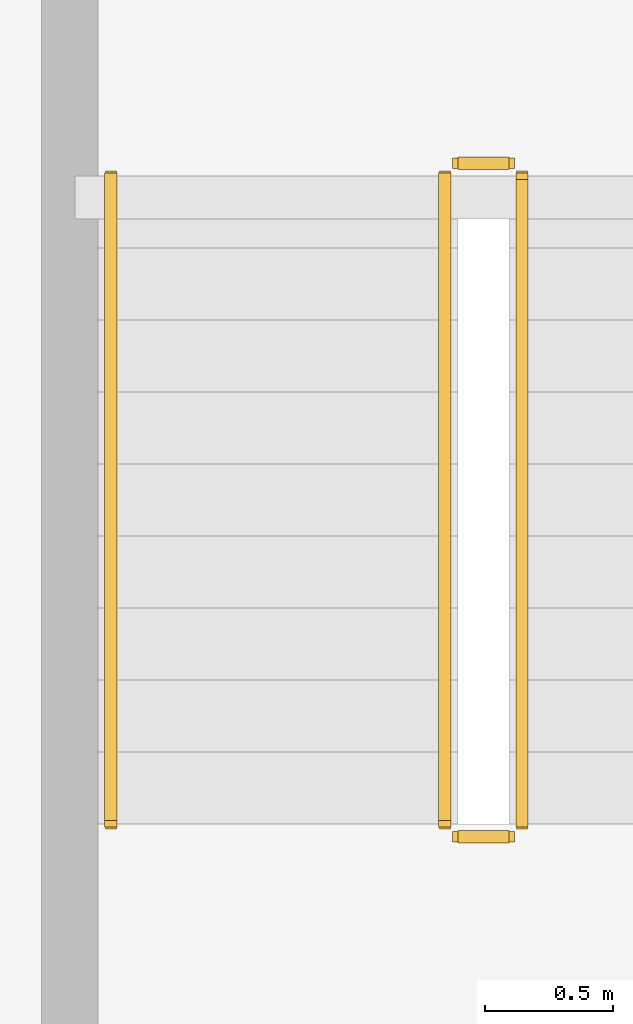
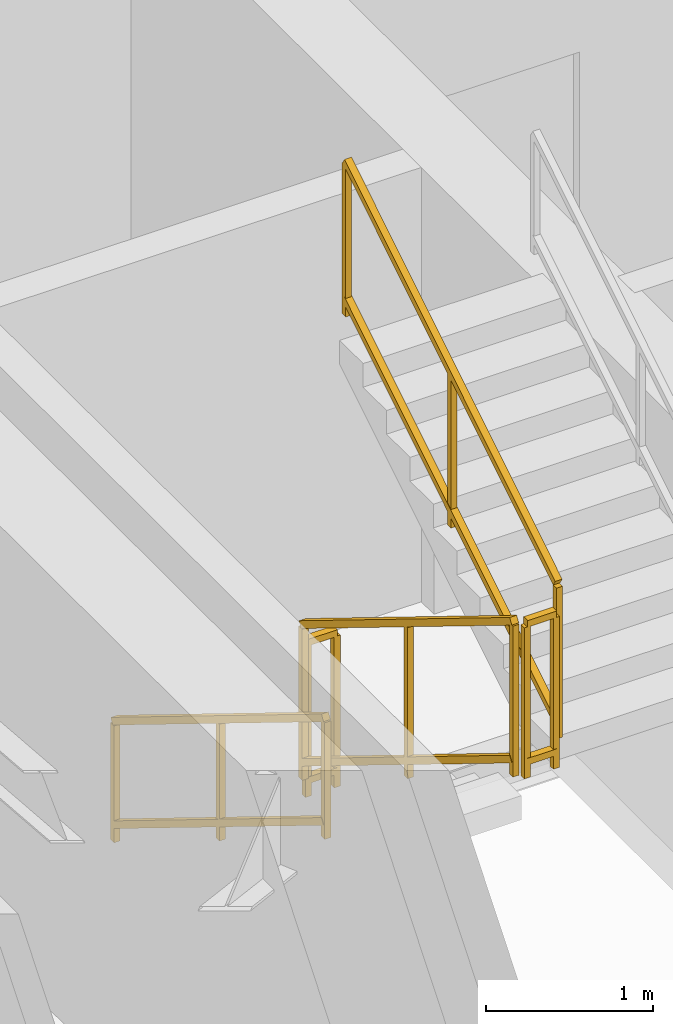
# One storey, part 28 of 30: 5 railings.
"""IFC4 building model written with IfcOpenShell, lengths in metres."""

from ifc_helpers import new_model, si_unit, direction, frame, origin, origin_2d, place, context, subcontext, project, spatial, rectangle, extrude, material, type_object, element, save


model = new_model("IFC4")

# Units and contexts
model_context = context("Model", 3, precision=1e-05, world=origin(), true_north=direction((0.0, 1.0)))
body_context = subcontext(model_context, "Body", "Model", "MODEL_VIEW")
ifc_project = project(units=[si_unit("LENGTHUNIT", "METRE"), si_unit("AREAUNIT", "SQUARE_METRE"), si_unit("VOLUMEUNIT", "CUBIC_METRE"), si_unit("PLANEANGLEUNIT", "RADIAN"), si_unit("MASSUNIT", "GRAM", prefix="KILO")], contexts=[model_context])

# Site, building, storey
site_placement = place(None, origin())
site = spatial("IfcSite", under=ifc_project, at=site_placement, CompositionType="ELEMENT")
building_placement = place(site_placement, origin())
building = spatial("IfcBuilding", under=site, at=building_placement, Name="Qarnah Convention Tower", CompositionType="ELEMENT")
storey_placement = place(building_placement, frame((0.0, 0.0, 86.699951171875)))
storey = spatial("IfcBuildingStorey", under=building, at=storey_placement, Name="L22", CompositionType="ELEMENT", Elevation=86.699951171875)

# Railings
ifc_material = material(Name="Structural steel S355JR", Category="steel")
railing_type_1 = type_object("IfcRailingType", Name="RL-STAIR-GUARD-1150", PredefinedType="GUARDRAIL", material=ifc_material)
railing_1_placement = place(storey_placement, frame((28.89990234375, 25.300048828125, 0.172607421875)))
element("IfcRailing", 1, at=railing_1_placement, inside=storey, type_object=railing_type_1, Name="L22 ST-1 stair guard 1", PredefinedType="GUARDRAIL", context=body_context, shape_type="SweptSolid", body=[
    extrude(rectangle(XDim=0.048095703125, YDim=0.048095703125, at=origin_2d()), frame((0.0, 0.0, 1.1259765625), z_axis=(0.0, -0.851400495292, 0.524516154772), x_axis=(1.0, 0.0, 0.0)), (0.0, 0.0, 1.0), 2.9599609375),
    extrude(rectangle(XDim=0.048095703125, YDim=0.048095703125, at=origin_2d()), frame((0.0, 0.0, 0.1201171875), z_axis=(0.0, -0.851400495292, 0.524516154772), x_axis=(1.0, 0.0, 0.0)), (0.0, 0.0, 1.0), 2.9599609375),
    extrude(rectangle(XDim=0.0419921875, YDim=0.0419921875, at=origin_2d()), origin(), (0.0, 0.0, 1.0), 1.101806640625),
    extrude(rectangle(XDim=0.0419921875, YDim=0.0419921875, at=origin_2d()), frame((0.0, -1.260009765625, 0.7763671875)), (0.0, 0.0, 1.0), 1.101806640625),
    extrude(rectangle(XDim=0.0419921875, YDim=0.0419921875, at=origin_2d()), frame((0.0, -2.52001953125, 1.552490234375)), (0.0, 0.0, 1.0), 1.101806640625),
])
railing_2_placement = place(storey_placement, frame((28.949951171875, 22.72998046875, 1.72509765625)))
element("IfcRailing", 2, at=railing_2_placement, inside=storey, type_object=railing_type_1, Name="L22 ST-1 stair guard 2", PredefinedType="GUARDRAIL", context=body_context, shape_type="SweptSolid", body=[
    extrude(rectangle(XDim=0.048095703125, YDim=0.048095703125, at=origin_2d()), frame((0.0, 0.0, 1.1259765625), z_axis=(1.0, 0.0, 0.0), x_axis=(0.0, 1.0, 0.0)), (0.0, 0.0, 1.0), 0.199951171875),
    extrude(rectangle(XDim=0.048095703125, YDim=0.048095703125, at=origin_2d()), frame((0.0, 0.0, 0.1201171875), z_axis=(1.0, 0.0, 0.0), x_axis=(0.0, 1.0, 0.0)), (0.0, 0.0, 1.0), 0.199951171875),
    extrude(rectangle(XDim=0.0419921875, YDim=0.0419921875, at=origin_2d()), origin(), (0.0, 0.0, 1.0), 1.101806640625),
    extrude(rectangle(XDim=0.0419921875, YDim=0.0419921875, at=origin_2d()), frame((0.199951171875, 0.0, 0.0)), (0.0, 0.0, 1.0), 1.101806640625),
])
railing_3_placement = place(storey_placement, frame((29.199951171875, 22.780029296875, 1.8974609375)))
element("IfcRailing", 3, at=railing_3_placement, inside=storey, type_object=railing_type_1, Name="L22 ST-1 stair guard 3", PredefinedType="GUARDRAIL", context=body_context, shape_type="SweptSolid", body=[
    extrude(rectangle(XDim=0.048095703125, YDim=0.048095703125, at=origin_2d()), frame((0.0, 0.0, 1.1259765625), z_axis=(0.0, 0.851400495292, 0.524516154772), x_axis=(-1.0, 0.0, 0.0)), (0.0, 0.0, 1.0), 2.9599609375),
    extrude(rectangle(XDim=0.048095703125, YDim=0.048095703125, at=origin_2d()), frame((0.0, 0.0, 0.1201171875), z_axis=(0.0, 0.851400495292, 0.524516154772), x_axis=(-1.0, 0.0, 0.0)), (0.0, 0.0, 1.0), 2.9599609375),
    extrude(rectangle(XDim=0.0419921875, YDim=0.0419921875, at=origin_2d()), origin(), (0.0, 0.0, 1.0), 1.101806640625),
    extrude(rectangle(XDim=0.0419921875, YDim=0.0419921875, at=origin_2d()), frame((0.0, 1.260009765625, 0.7763671875)), (0.0, 0.0, 1.0), 1.101806640625),
    extrude(rectangle(XDim=0.0419921875, YDim=0.0419921875, at=origin_2d()), frame((0.0, 2.52001953125, 1.552490234375)), (0.0, 0.0, 1.0), 1.101806640625),
])
railing_4_placement = place(storey_placement, frame((28.949951171875, 25.35009765625, 0.0)))
element("IfcRailing", 4, at=railing_4_placement, inside=storey, type_object=railing_type_1, Name="L22 ST-1 stair guard 4", PredefinedType="GUARDRAIL", context=body_context, shape_type="SweptSolid", body=[
    extrude(rectangle(XDim=0.048095703125, YDim=0.048095703125, at=origin_2d()), frame((0.0, 0.0, 1.1259765625), z_axis=(1.0, 0.0, 0.0), x_axis=(0.0, 1.0, 0.0)), (0.0, 0.0, 1.0), 0.199951171875),
    extrude(rectangle(XDim=0.048095703125, YDim=0.048095703125, at=origin_2d()), frame((0.0, 0.0, 0.1201171875), z_axis=(1.0, 0.0, 0.0), x_axis=(0.0, 1.0, 0.0)), (0.0, 0.0, 1.0), 0.199951171875),
    extrude(rectangle(XDim=0.0419921875, YDim=0.0419921875, at=origin_2d()), origin(), (0.0, 0.0, 1.0), 1.101806640625),
    extrude(rectangle(XDim=0.0419921875, YDim=0.0419921875, at=origin_2d()), frame((0.199951171875, 0.0, 0.0)), (0.0, 0.0, 1.0), 1.101806640625),
])
railing_type_2 = type_object("IfcRailingType", Name="RL-STAIR-HAND-900", PredefinedType="HANDRAIL", material=ifc_material)
railing_5_placement = place(storey_placement, frame((27.60009765625, 25.300048828125, 0.172607421875)))
element("IfcRailing", 5, at=railing_5_placement, inside=storey, type_object=railing_type_2, Name="L22 ST-1 stair handrail 1", PredefinedType="HANDRAIL", context=body_context, shape_type="SweptSolid", body=[
    extrude(rectangle(XDim=0.048095703125, YDim=0.048095703125, at=origin_2d()), frame((0.0, 0.0, 0.8759765625), z_axis=(0.0, -0.851400495292, 0.524516154772), x_axis=(1.0, 0.0, 0.0)), (0.0, 0.0, 1.0), 2.9599609375),
    extrude(rectangle(XDim=0.048095703125, YDim=0.048095703125, at=origin_2d()), frame((0.0, 0.0, 0.1201171875), z_axis=(0.0, -0.851400495292, 0.524516154772), x_axis=(1.0, 0.0, 0.0)), (0.0, 0.0, 1.0), 2.9599609375),
    extrude(rectangle(XDim=0.0419921875, YDim=0.0419921875, at=origin_2d()), origin(), (0.0, 0.0, 1.0), 0.851806640625),
    extrude(rectangle(XDim=0.0419921875, YDim=0.0419921875, at=origin_2d()), frame((0.0, -1.260009765625, 0.7763671875)), (0.0, 0.0, 1.0), 0.851806640625),
    extrude(rectangle(XDim=0.0419921875, YDim=0.0419921875, at=origin_2d()), frame((0.0, -2.52001953125, 1.552490234375)), (0.0, 0.0, 1.0), 0.851806640625),
])

save(model, "model.ifc")
